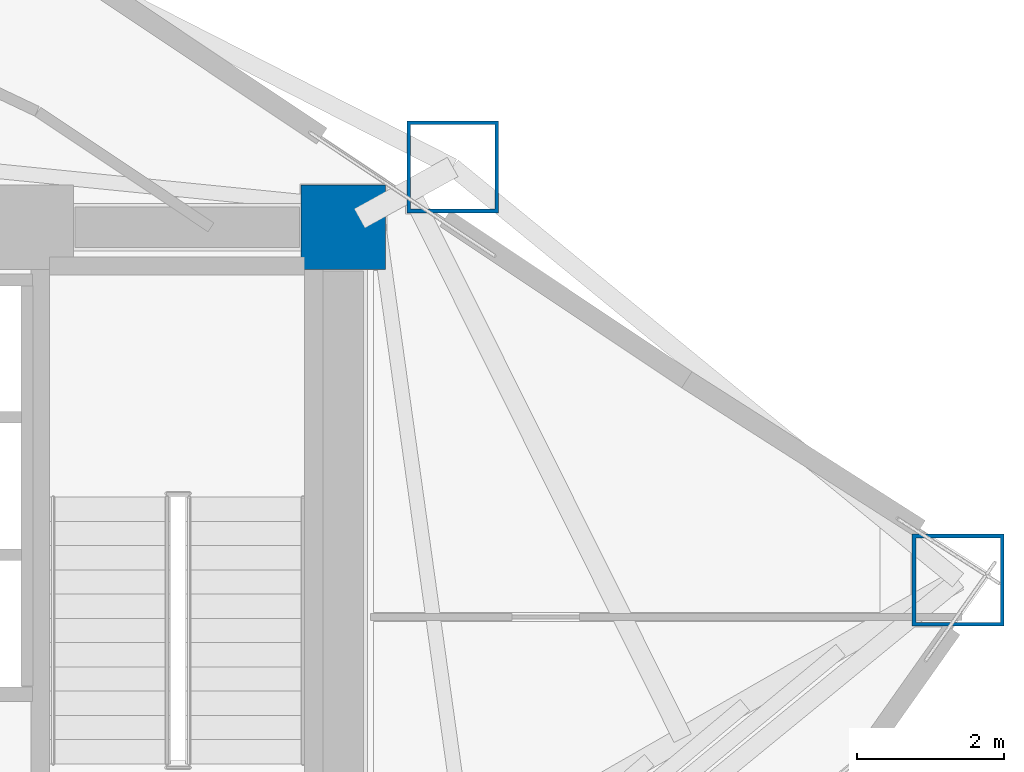
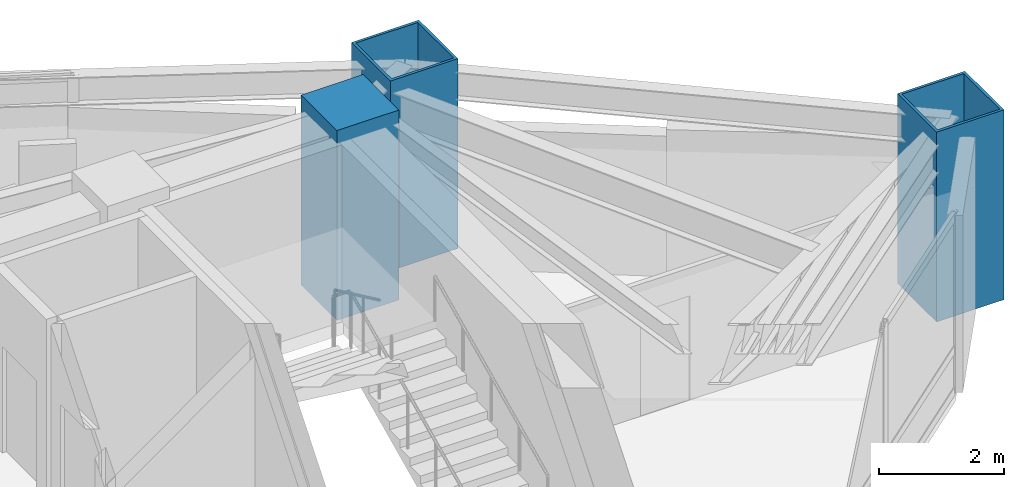
# One storey, part 2 of 23: 3 columns.
"""IFC4 building model written with IfcOpenShell, lengths in metres."""

from ifc_helpers import new_model, si_unit, direction, frame, origin, origin_2d, place, context, subcontext, project, spatial, rectangle, hollow_rectangle, extrude, material, material_profile, profile_set, type_object, element, save


model = new_model("IFC4")

# Units and contexts
model_context = context("Model", 3, precision=1e-05, world=origin(), true_north=direction((0.0, 1.0)))
body_context = subcontext(model_context, "Body", "Model", "MODEL_VIEW")
ifc_project = project(units=[si_unit("LENGTHUNIT", "METRE"), si_unit("AREAUNIT", "SQUARE_METRE"), si_unit("VOLUMEUNIT", "CUBIC_METRE"), si_unit("PLANEANGLEUNIT", "RADIAN"), si_unit("MASSUNIT", "GRAM", prefix="KILO")], contexts=[model_context])

# Site, building, storey
site_placement = place(None, origin())
site = spatial("IfcSite", under=ifc_project, at=site_placement, CompositionType="ELEMENT")
building_placement = place(site_placement, origin())
building = spatial("IfcBuilding", under=site, at=building_placement, Name="Menara Vayukalpa", CompositionType="ELEMENT")
storey_placement = place(building_placement, frame((0.0, 0.0, 107.699951171875)))
storey = spatial("IfcBuildingStorey", under=building, at=storey_placement, Name="L26", CompositionType="ELEMENT", Elevation=107.699951171875)

# Columns
ifc_material_1 = material(Name="Concrete C80/95", Category="concrete")
ifc_material_profile_1 = material_profile(ifc_material_1, rectangle(XDim=1.14990234375, YDim=1.14990234375, at=origin_2d()), Name="RC 1150x1150")
ifc_profile_set_1 = profile_set([ifc_material_profile_1], Name="Concrete C80/95")
column_type_1 = type_object("IfcColumnType", Name="COL-CC1", PredefinedType="COLUMN", material=ifc_profile_set_1)
column_placement = place(storey_placement, frame((33.39990234375, 26.800048828125, 0.0), z_axis=(0.0, 0.0, 1.0), x_axis=(1.0, 0.0, 0.0)))
element("IfcColumn", 1, at=column_placement, inside=storey, type_object=column_type_1, Name="L26 Core Pilaster Column CC8", PredefinedType="COLUMN", context=body_context, shape_type="SweptSolid", body=[
    extrude(rectangle(XDim=1.14990234375, YDim=1.14990234375, at=origin_2d()), origin(), (0.0, 0.0, 1.0), 3.719970703125),
])
ifc_material_2 = material(Name="Steel S460", Category="steel")
ifc_material_profile_2 = material_profile(ifc_material_2, hollow_rectangle(XDim=1.25, YDim=1.25, WallThickness=0.050048828125, at=origin_2d()), Name="BOX 1250x1250x50")
ifc_profile_set_2 = profile_set([ifc_material_profile_2], Name="Steel S460")
column_type_2 = type_object("IfcColumnType", Name="COL-MC2", PredefinedType="COLUMN", material=ifc_profile_set_2)
for number, where, z_axis, x_axis, name in (
    (2, (41.761962890625, 22.0, 0.0), (0.0, 0.0, 1.0), (1.0, 0.0, 0.0), "L26 Perimeter Mega Column P01"),
    (3, (34.88671875, 27.62158203125, 0.0), (0.0, 0.0, 1.0), (1.0, 0.0, 0.0), "L26 Perimeter Mega Column P02"),
):
    element("IfcColumn", number, at=place(storey_placement, frame(where, z_axis=z_axis, x_axis=x_axis)), inside=storey, type_object=column_type_2, Name=name, PredefinedType="COLUMN", context=body_context, shape_type="SweptSolid", body=[
        extrude(hollow_rectangle(XDim=1.25, YDim=1.25, WallThickness=0.050048828125, at=origin_2d()), origin(), (0.0, 0.0, 1.0), 3.719970703125),
    ])

save(model, "model.ifc")
